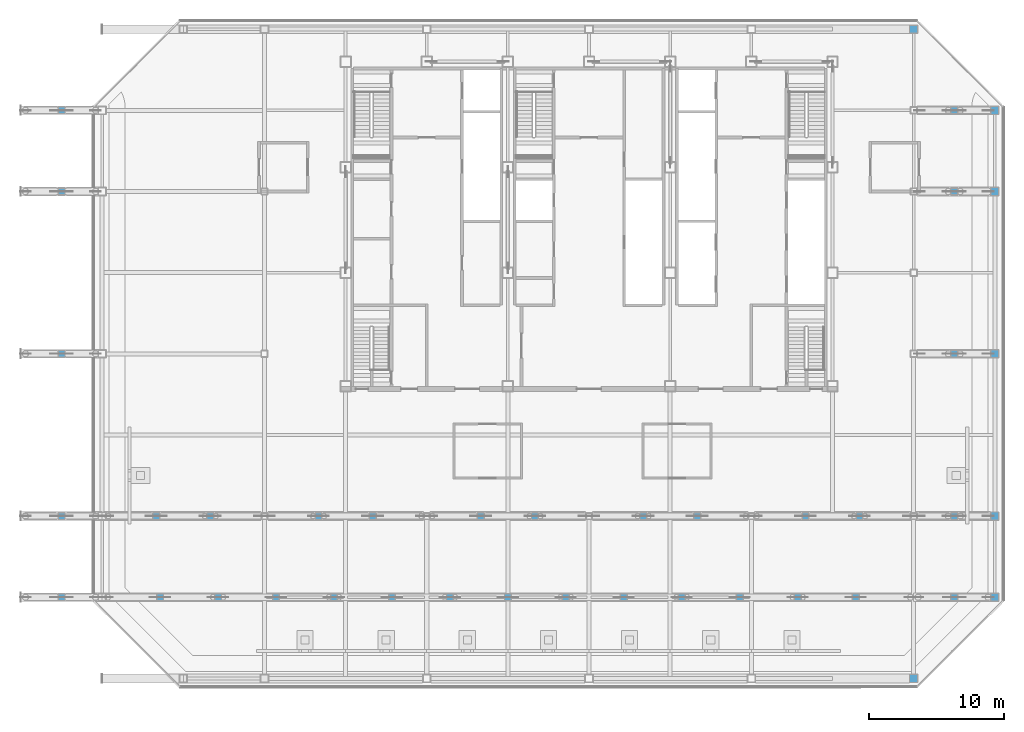
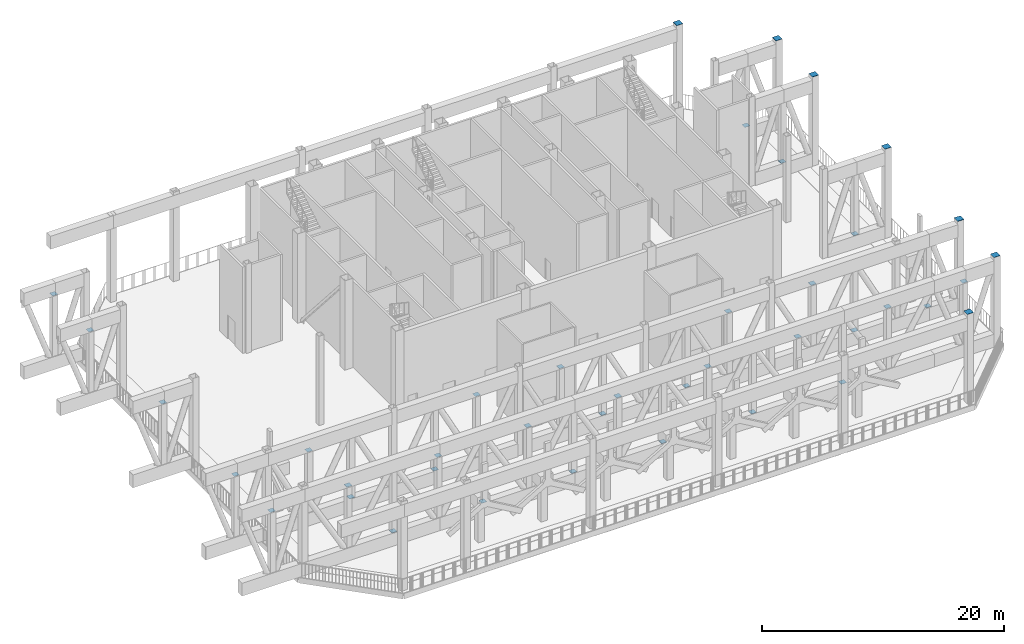
# One storey, part 15 of 22: 40 discrete accessories.
"""IFC4 building model written with IfcOpenShell, lengths in metres."""

from ifc_helpers import new_model, si_unit, direction, frame, origin, origin_2d, place, context, subcontext, project, spatial, rectangle, extrude, material, layer, layer_set, type_object, element, save


model = new_model("IFC4")

# Units and contexts
model_context = context("Model", 3, precision=1e-05, world=origin(), true_north=direction((0.0, 1.0)))
body_context = subcontext(model_context, "Body", "Model", "MODEL_VIEW")
ifc_project = project(units=[si_unit("LENGTHUNIT", "METRE"), si_unit("AREAUNIT", "SQUARE_METRE"), si_unit("VOLUMEUNIT", "CUBIC_METRE"), si_unit("PLANEANGLEUNIT", "RADIAN"), si_unit("MASSUNIT", "GRAM", prefix="KILO")], contexts=[model_context])

# Site, building, storey
site_placement = place(None, origin())
site = spatial("IfcSite", under=ifc_project, at=site_placement, CompositionType="ELEMENT")
building_placement = place(site_placement, origin())
building = spatial("IfcBuilding", under=site, at=building_placement, Name="Sorahane Residences", CompositionType="ELEMENT")
storey_placement = place(building_placement, frame((0.0, 0.0, 281.800048828125)))
storey = spatial("IfcBuildingStorey", under=building, at=storey_placement, Name="L67", CompositionType="ELEMENT", Elevation=281.800048828125)

# Discrete accessories
ifc_material_1 = material(Name="Steel Q355B", Category="steel")
ifc_layer_1 = layer(ifc_material_1, 0.02001953125)
ifc_layer_set_1 = layer_set([ifc_layer_1], Name="End plate Steel Q355B 600x600x20")
discrete_accessory_type_1 = type_object("IfcDiscreteAccessoryType", Name="End plate Steel Q355B 600x600x20", PredefinedType="USERDEFINED", material=ifc_layer_set_1)
for number, where, z_axis, x_axis, name in (
    (1, (48.0, 0.0, 9.0), (0.0, 0.0, 1.0), (1.0, 0.0, 0.0), "End plate L67"),
    (2, (48.0, 48.0, 9.0), (0.0, 0.0, 1.0), (1.0, 0.0, 0.0), "End plate L67"),
    (3, (54.0, 12.0, 9.0), (0.0, 0.0, 1.0), (1.0, 0.0, 0.0), "End plate L67"),
    (4, (54.0, 24.0, 9.0), (0.0, 0.0, 1.0), (1.0, 0.0, 0.0), "End plate L67"),
    (5, (54.0, 36.0, 9.0), (0.0, 0.0, 1.0), (1.0, 0.0, 0.0), "End plate L67"),
    (6, (54.0, 42.0, 9.0), (0.0, 0.0, 1.0), (1.0, 0.0, 0.0), "End plate L67"),
    (7, (54.0, 6.0, 9.0), (0.0, 0.0, 1.0), (1.0, 0.0, 0.0), "End plate L67"),
):
    element("IfcDiscreteAccessory", number, at=place(storey_placement, frame(where, z_axis=z_axis, x_axis=x_axis)), inside=storey, type_object=discrete_accessory_type_1, Name=name, ObjectType="END PLATE", PredefinedType="USERDEFINED", context=body_context, shape_type="SweptSolid", body=[
        extrude(rectangle(XDim=0.60009765625, YDim=0.60009765625, at=origin_2d()), origin(), (0.0, 0.0, 1.0), 0.02001953125),
    ])
ifc_material_2 = material(Name="Steel Q420GJ", Category="steel")
ifc_layer_2 = layer(ifc_material_2, 0.02001953125)
ifc_layer_set_2 = layer_set([ifc_layer_2], Name="End plate Steel Q420GJ 500x500x20")
discrete_accessory_type_2 = type_object("IfcDiscreteAccessoryType", Name="End plate Steel Q420GJ 500x500x20", PredefinedType="USERDEFINED", material=ifc_layer_set_2)
for number, where, z_axis, x_axis, name in (
    (8, (-15.0, 12.0, 7.39990234375), (0.0, 0.0, 1.0), (1.0, 0.0, 0.0), "End plate L67"),
    (9, (20.0, 12.0, 1.280029296875), (0.0, 0.0, 1.0), (1.0, 0.0, 0.0), "End plate L67"),
    (10, (28.0, 12.0, 1.280029296875), (0.0, 0.0, 1.0), (1.0, 0.0, 0.0), "End plate L67"),
    (11, (32.0, 12.0, 7.39990234375), (0.0, 0.0, 1.0), (1.0, 0.0, 0.0), "End plate L67"),
    (12, (40.0, 12.0, 7.39990234375), (0.0, 0.0, 1.0), (1.0, 0.0, 0.0), "End plate L67"),
    (13, (44.0, 12.0, 1.280029296875), (0.0, 0.0, 1.0), (1.0, 0.0, 0.0), "End plate L67"),
    (14, (51.0, 12.0, 1.280029296875), (0.0, 0.0, 1.0), (1.0, 0.0, 0.0), "End plate L67"),
    (15, (-8.0, 12.0, 7.39990234375), (0.0, 0.0, 1.0), (1.0, 0.0, 0.0), "End plate L67"),
    (16, (-4.0, 12.0, 1.280029296875), (0.0, 0.0, 1.0), (1.0, 0.0, 0.0), "End plate L67"),
    (17, (4.0, 12.0, 1.280029296875), (0.0, 0.0, 1.0), (1.0, 0.0, 0.0), "End plate L67"),
    (18, (8.0, 12.0, 7.39990234375), (0.0, 0.0, 1.0), (1.0, 0.0, 0.0), "End plate L67"),
    (19, (16.0, 12.0, 7.39990234375), (0.0, 0.0, 1.0), (1.0, 0.0, 0.0), "End plate L67"),
    (20, (-15.0, 24.0, 7.39990234375), (0.0, 0.0, 1.0), (1.0, 0.0, 0.0), "End plate L67"),
    (21, (51.0, 24.0, 1.280029296875), (0.0, 0.0, 1.0), (1.0, 0.0, 0.0), "End plate L67"),
    (22, (-15.0, 36.0, 7.39990234375), (0.0, 0.0, 1.0), (1.0, 0.0, 0.0), "End plate L67"),
    (23, (51.0, 36.0, 1.280029296875), (0.0, 0.0, 1.0), (1.0, 0.0, 0.0), "End plate L67"),
    (24, (-15.0, 42.0, 7.39990234375), (0.0, 0.0, 1.0), (1.0, 0.0, 0.0), "End plate L67"),
    (25, (51.0, 42.0, 1.280029296875), (0.0, 0.0, 1.0), (1.0, 0.0, 0.0), "End plate L67"),
    (26, (-15.0, 6.0, 7.39990234375), (0.0, 0.0, 1.0), (1.0, 0.0, 0.0), "End plate L67"),
    (27, (22.28564453125, 6.0, 1.280029296875), (0.0, 0.0, 1.0), (1.0, 0.0, 0.0), "End plate L67"),
    (28, (26.5712890625, 6.0, 7.39990234375), (0.0, 0.0, 1.0), (1.0, 0.0, 0.0), "End plate L67"),
    (29, (30.857177734375, 6.0, 1.280029296875), (0.0, 0.0, 1.0), (1.0, 0.0, 0.0), "End plate L67"),
    (30, (35.142822265625, 6.0, 7.39990234375), (0.0, 0.0, 1.0), (1.0, 0.0, 0.0), "End plate L67"),
    (31, (39.4287109375, 6.0, 1.280029296875), (0.0, 0.0, 1.0), (1.0, 0.0, 0.0), "End plate L67"),
    (32, (43.71435546875, 6.0, 7.39990234375), (0.0, 0.0, 1.0), (1.0, 0.0, 0.0), "End plate L67"),
    (33, (51.0, 6.0, 7.39990234375), (0.0, 0.0, 1.0), (1.0, 0.0, 0.0), "End plate L67"),
    (34, (-7.71435546875, 6.0, 7.39990234375), (0.0, 0.0, 1.0), (1.0, 0.0, 0.0), "End plate L67"),
    (35, (-3.4287109375, 6.0, 1.280029296875), (0.0, 0.0, 1.0), (1.0, 0.0, 0.0), "End plate L67"),
    (36, (0.857177734375, 6.0, 7.39990234375), (0.0, 0.0, 1.0), (1.0, 0.0, 0.0), "End plate L67"),
    (37, (5.142822265625, 6.0, 1.280029296875), (0.0, 0.0, 1.0), (1.0, 0.0, 0.0), "End plate L67"),
    (38, (9.4287109375, 6.0, 7.39990234375), (0.0, 0.0, 1.0), (1.0, 0.0, 0.0), "End plate L67"),
    (39, (13.71435546875, 6.0, 1.280029296875), (0.0, 0.0, 1.0), (1.0, 0.0, 0.0), "End plate L67"),
    (40, (18.0, 6.0, 7.39990234375), (0.0, 0.0, 1.0), (1.0, 0.0, 0.0), "End plate L67"),
):
    element("IfcDiscreteAccessory", number, at=place(storey_placement, frame(where, z_axis=z_axis, x_axis=x_axis)), inside=storey, type_object=discrete_accessory_type_2, Name=name, ObjectType="END PLATE", PredefinedType="USERDEFINED", context=body_context, shape_type="SweptSolid", body=[
        extrude(rectangle(XDim=0.5, YDim=0.5, at=origin_2d()), origin(), (0.0, 0.0, 1.0), 0.02001953125),
    ])

save(model, "model.ifc")
